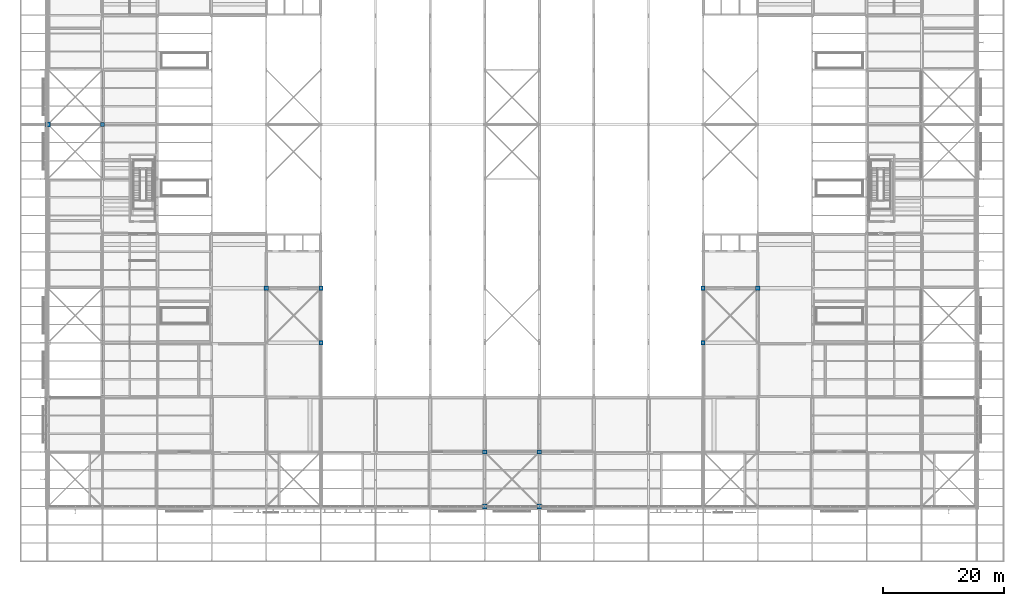
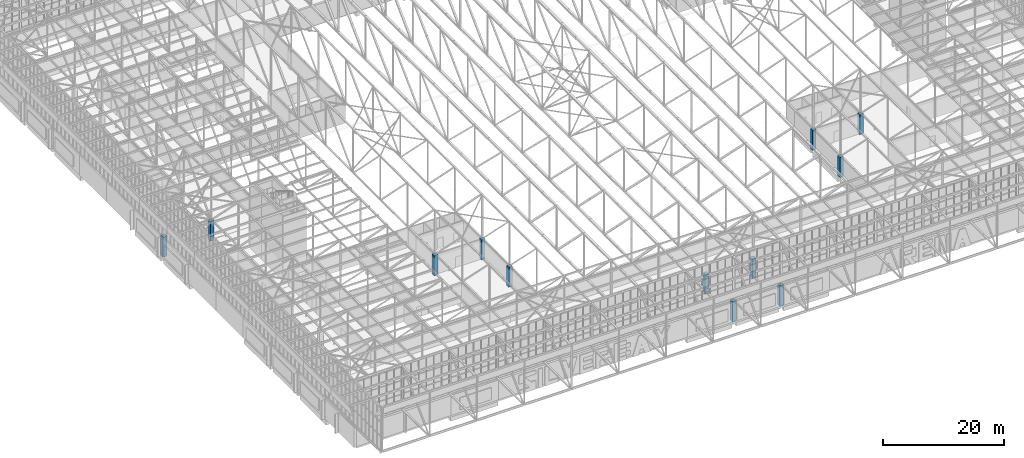
# One storey, part 3 of 646: 12 columns.
"""IFC4 building model written with IfcOpenShell, lengths in metres."""

from ifc_helpers import new_model, si_unit, direction, frame, origin, origin_2d, place, context, subcontext, project, spatial, rectangle, extrude, material, material_profile, profile_set, type_object, element, save


model = new_model("IFC4")

# Units and contexts
model_context = context("Model", 3, precision=1e-05, world=origin(), true_north=direction((0.0, 1.0)))
body_context = subcontext(model_context, "Body", "Model", "MODEL_VIEW")
ifc_project = project(units=[si_unit("LENGTHUNIT", "METRE"), si_unit("AREAUNIT", "SQUARE_METRE"), si_unit("VOLUMEUNIT", "CUBIC_METRE"), si_unit("PLANEANGLEUNIT", "RADIAN"), si_unit("MASSUNIT", "GRAM", prefix="KILO")], contexts=[model_context])

# Site, building, storey
site_placement = place(None, origin())
site = spatial("IfcSite", under=ifc_project, at=site_placement, CompositionType="ELEMENT")
building_placement = place(site_placement, origin())
building = spatial("IfcBuilding", under=site, at=building_placement, Name="Silverbay Arena", CompositionType="ELEMENT")
storey_placement = place(building_placement, frame((0.0, 0.0, 33.5)))
storey = spatial("IfcBuildingStorey", under=building, at=storey_placement, Name="L05", CompositionType="ELEMENT", Elevation=33.5)

# Columns
ifc_material_1 = material(Name="Concrete Grade C45", Category="concrete")
ifc_material_profile_1 = material_profile(ifc_material_1, rectangle(XDim=0.699951171875, YDim=0.699951171875, at=origin_2d()), Name="RC 700x700")
ifc_profile_set_1 = profile_set([ifc_material_profile_1], Name="Concrete Grade C45")
column_type_1 = type_object("IfcColumnType", Name="RC column 700x700", PredefinedType="COLUMN", material=ifc_profile_set_1)
for number, where, z_axis, x_axis, name in (
    (1, (126.0, 27.0, 0.0), (0.0, 0.0, 1.0), (1.0, 0.0, 0.0), "Column 15/D L05"),
    (2, (135.0, 27.0, 0.0), (0.0, 0.0, 1.0), (1.0, 0.0, 0.0), "Column 16/D L05"),
    (3, (63.0, 81.0, 0.0), (0.0, 0.0, 1.0), (1.0, 0.0, 0.0), "Column 8/K L05"),
    (4, (90.0, 54.0, 0.0), (0.0, 0.0, 1.0), (1.0, 0.0, 0.0), "Column 11/G L05"),
    (5, (99.0, 45.0, 0.0), (0.0, 0.0, 1.0), (1.0, 0.0, 0.0), "Column 12/F L05"),
    (6, (99.0, 54.0, 0.0), (0.0, 0.0, 1.0), (1.0, 0.0, 0.0), "Column 12/G L05"),
    (7, (162.0, 45.0, 0.0), (0.0, 0.0, 1.0), (1.0, 0.0, 0.0), "Column 19/F L05"),
    (8, (162.0, 54.0, 0.0), (0.0, 0.0, 1.0), (1.0, 0.0, 0.0), "Column 19/G L05"),
    (9, (171.0, 54.0, 0.0), (0.0, 0.0, 1.0), (1.0, 0.0, 0.0), "Column 20/G L05"),
):
    element("IfcColumn", number, at=place(storey_placement, frame(where, z_axis=z_axis, x_axis=x_axis)), inside=storey, type_object=column_type_1, Name=name, PredefinedType="COLUMN", context=body_context, shape_type="SweptSolid", body=[
        extrude(rectangle(XDim=0.699951171875, YDim=0.699951171875, at=origin_2d()), origin(), (0.0, 0.0, 1.0), 4.0),
    ])
ifc_material_2 = material(Name="Concrete Grade C45", Category="concrete")
ifc_material_profile_2 = material_profile(ifc_material_2, rectangle(XDim=0.800048828125, YDim=0.800048828125, at=origin_2d()), Name="RC 800x800")
ifc_profile_set_2 = profile_set([ifc_material_profile_2], Name="Concrete Grade C45")
column_type_2 = type_object("IfcColumnType", Name="RC column 800x800", PredefinedType="COLUMN", material=ifc_profile_set_2)
for number, where, z_axis, x_axis, name in (
    (10, (126.0, 18.0, 0.0), (0.0, 0.0, 1.0), (1.0, 0.0, 0.0), "Column 15/C L05"),
    (11, (135.0, 18.0, 0.0), (0.0, 0.0, 1.0), (1.0, 0.0, 0.0), "Column 16/C L05"),
    (12, (54.0, 81.0, 0.0), (0.0, 0.0, 1.0), (1.0, 0.0, 0.0), "Column 7/K L05"),
):
    element("IfcColumn", number, at=place(storey_placement, frame(where, z_axis=z_axis, x_axis=x_axis)), inside=storey, type_object=column_type_2, Name=name, PredefinedType="COLUMN", context=body_context, shape_type="SweptSolid", body=[
        extrude(rectangle(XDim=0.800048828125, YDim=0.800048828125, at=origin_2d()), origin(), (0.0, 0.0, 1.0), 4.0),
    ])

save(model, "model.ifc")
